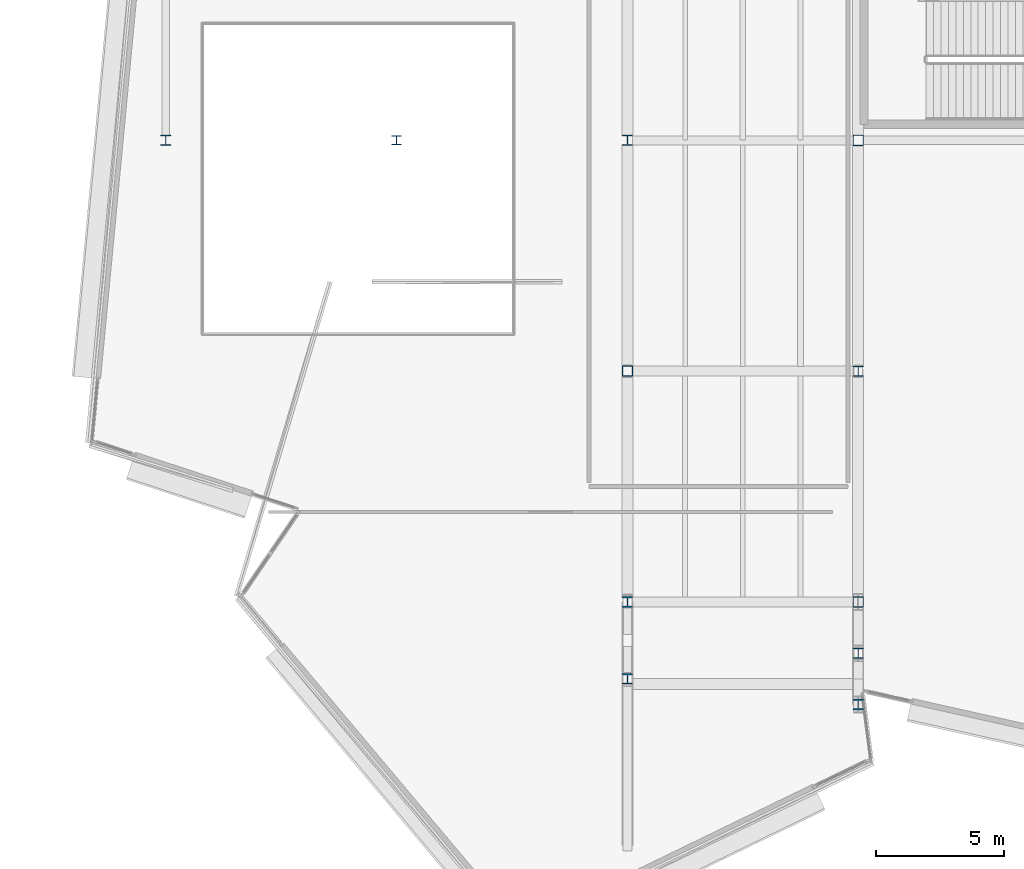
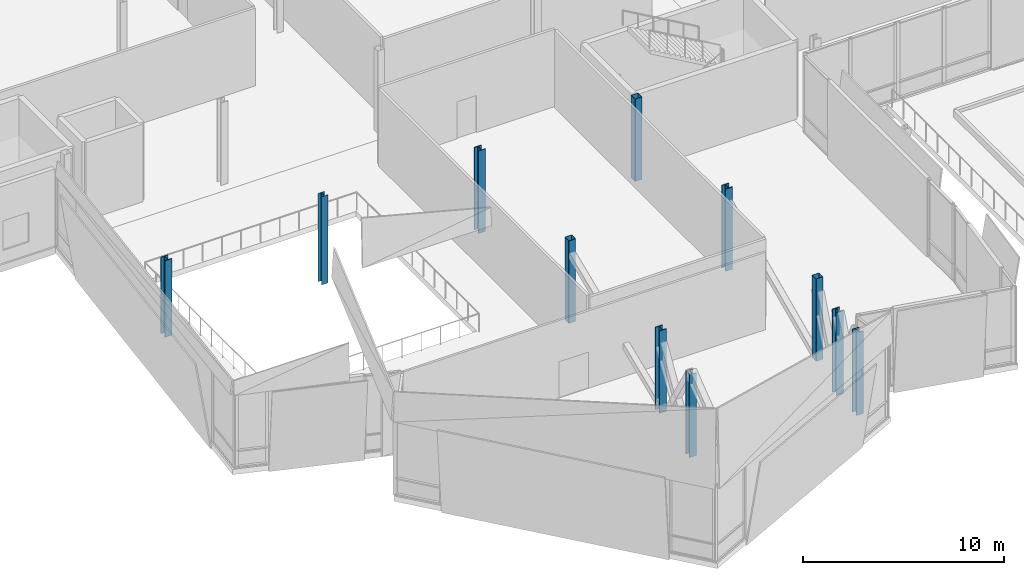
# One storey, part 1 of 60: 11 columns.
"""IFC4 building model written with IfcOpenShell, lengths in metres."""

from ifc_helpers import new_model, si_unit, direction, frame, origin, origin_2d, place, context, subcontext, project, spatial, hollow_rectangle, i_section, extrude, material, material_profile, profile_set, type_object, element, save


model = new_model("IFC4")

# Units and contexts
model_context = context("Model", 3, precision=1e-05, world=origin(), true_north=direction((0.0, 1.0)))
body_context = subcontext(model_context, "Body", "Model", "MODEL_VIEW")
ifc_project = project(units=[si_unit("LENGTHUNIT", "METRE"), si_unit("AREAUNIT", "SQUARE_METRE"), si_unit("VOLUMEUNIT", "CUBIC_METRE"), si_unit("PLANEANGLEUNIT", "RADIAN"), si_unit("MASSUNIT", "GRAM", prefix="KILO")], contexts=[model_context])

# Site, building, storey
site_placement = place(None, origin())
site = spatial("IfcSite", under=ifc_project, at=site_placement, CompositionType="ELEMENT")
building_placement = place(site_placement, origin())
building = spatial("IfcBuilding", under=site, at=building_placement, Name="Trimount Lyric Opera House", CompositionType="ELEMENT")
storey_placement = place(building_placement, frame((0.0, 0.0, 15.0)))
storey = spatial("IfcBuildingStorey", under=building, at=storey_placement, Name="L03", CompositionType="ELEMENT", Elevation=15.0)

# Columns
ifc_material_1 = material(Name="Steel ASTM A992 Grade 50", Category="steel")
ifc_material_profile_1 = material_profile(ifc_material_1, i_section(OverallWidth=0.406005859375, OverallDepth=0.4169921875, WebThickness=0.02978515625, FlangeThickness=0.048095703125, FilletRadius=0.01806640625, at=origin_2d()), Name="W14X257")
ifc_profile_set_1 = profile_set([ifc_material_profile_1], Name="Steel ASTM A992 Grade 50")
column_type_1 = type_object("IfcColumnType", Name="C-02", PredefinedType="COLUMN", material=ifc_profile_set_1)
column_1_placement = place(storey_placement, frame((27.0, 44.0, 0.0), z_axis=(0.0, 0.0, 1.0), x_axis=(1.0, 0.0, 0.0)))
element("IfcColumn", 1, at=column_1_placement, inside=storey, type_object=column_type_1, Name="L03 column 4/F", PredefinedType="COLUMN", context=body_context, shape_type="SweptSolid", body=[
    extrude(i_section(OverallWidth=0.406005859375, OverallDepth=0.4169921875, WebThickness=0.02978515625, FlangeThickness=0.048095703125, FilletRadius=0.01806640625, at=origin_2d()), origin(), (0.0, 0.0, 1.0), 4.639892578125),
])
for number, where, z_axis, x_axis, name in (
    (2, (45.0, 26.0, 0.0), (0.0, 0.0, 1.0), (1.0, 0.0, 0.0), "L03 column 6/D"),
    (3, (45.0, 44.0, 0.0), (0.0, 0.0, 1.0), (1.0, 0.0, 0.0), "L03 column 6/F"),
    (4, (54.0, 35.0, 0.0), (0.0, 0.0, 1.0), (1.0, 0.0, 0.0), "L03 column 7/E"),
):
    element("IfcColumn", number, at=place(storey_placement, frame(where, z_axis=z_axis, x_axis=x_axis)), inside=storey, type_object=column_type_1, Name=name, PredefinedType="COLUMN", context=body_context, shape_type="SweptSolid", body=[
        extrude(i_section(OverallWidth=0.406005859375, OverallDepth=0.4169921875, WebThickness=0.02978515625, FlangeThickness=0.048095703125, FilletRadius=0.01806640625, at=origin_2d()), origin(), (0.0, 0.0, 1.0), 5.0),
    ])
for number, where, z_axis, x_axis, name in (
    (5, (45.0, 23.0, -0.87109375), (0.0, 0.0, 1.0), (1.0, 0.0, 0.0), "L03 crystal truss 2 post 1"),
    (6, (54.0, 22.0, -0.87109375), (0.0, 0.0, 1.0), (1.0, 0.0, 0.0), "L03 crystal truss 3 post 1"),
    (7, (54.0, 24.0, -0.87109375), (0.0, 0.0, 1.0), (1.0, 0.0, 0.0), "L03 crystal truss 3 post 2"),
):
    element("IfcColumn", number, at=place(storey_placement, frame(where, z_axis=z_axis, x_axis=x_axis)), inside=storey, type_object=column_type_1, Name=name, PredefinedType="COLUMN", context=body_context, shape_type="SweptSolid", body=[
        extrude(i_section(OverallWidth=0.406005859375, OverallDepth=0.4169921875, WebThickness=0.02978515625, FlangeThickness=0.048095703125, FilletRadius=0.01806640625, at=origin_2d()), origin(), (0.0, 0.0, 1.0), 5.025146484375),
    ])
ifc_material_2 = material(Name="Steel ASTM A992 Grade 50", Category="steel")
ifc_material_profile_2 = material_profile(ifc_material_2, i_section(OverallWidth=0.367919921875, OverallDepth=0.35595703125, WebThickness=0.01123046875, FlangeThickness=0.01806640625, FilletRadius=0.014892578125, at=origin_2d()), Name="W14X90")
ifc_profile_set_2 = profile_set([ifc_material_profile_2], Name="Steel ASTM A992 Grade 50")
column_type_2 = type_object("IfcColumnType", Name="C-05", PredefinedType="COLUMN", material=ifc_profile_set_2)
column_2_placement = place(storey_placement, frame((36.0, 44.0, 0.0), z_axis=(0.0, 0.0, 1.0), x_axis=(1.0, 0.0, 0.0)))
element("IfcColumn", 8, at=column_2_placement, inside=storey, type_object=column_type_2, Name="L03 crystal roof column 36/44", PredefinedType="COLUMN", context=body_context, shape_type="SweptSolid", body=[
    extrude(i_section(OverallWidth=0.367919921875, OverallDepth=0.35595703125, WebThickness=0.01123046875, FlangeThickness=0.01806640625, FilletRadius=0.014892578125, at=origin_2d()), origin(), (0.0, 0.0, 1.0), 5.35009765625),
])
ifc_material_3 = material(Name="Steel ASTM A500 Grade C", Category="steel")
ifc_material_profile_3 = material_profile(ifc_material_3, hollow_rectangle(XDim=0.406494140625, YDim=0.406494140625, WallThickness=0.014892578125, InnerFilletRadius=0.01513671875, OuterFilletRadius=0.030029296875, at=origin_2d()), Name="HSS406.4X406.4X15.9")
ifc_profile_set_3 = profile_set([ifc_material_profile_3], Name="Steel ASTM A500 Grade C")
column_type_3 = type_object("IfcColumnType", Name="C-07", PredefinedType="COLUMN", material=ifc_profile_set_3)
for number, where, z_axis, x_axis, name in (
    (9, (45.0, 35.0, 0.0), (0.0, 0.0, 1.0), (1.0, 0.0, 0.0), "L03 column 6/E"),
    (10, (54.0, 26.0, 0.0), (0.0, 0.0, 1.0), (1.0, 0.0, 0.0), "L03 column 7/D"),
    (11, (54.0, 44.0, 0.0), (0.0, 0.0, 1.0), (1.0, 0.0, 0.0), "L03 column 7/F"),
):
    element("IfcColumn", number, at=place(storey_placement, frame(where, z_axis=z_axis, x_axis=x_axis)), inside=storey, type_object=column_type_3, Name=name, PredefinedType="COLUMN", context=body_context, shape_type="SweptSolid", body=[
        extrude(hollow_rectangle(XDim=0.406494140625, YDim=0.406494140625, WallThickness=0.014892578125, InnerFilletRadius=0.01513671875, OuterFilletRadius=0.030029296875, at=origin_2d()), origin(), (0.0, 0.0, 1.0), 5.0),
    ])

save(model, "model.ifc")
